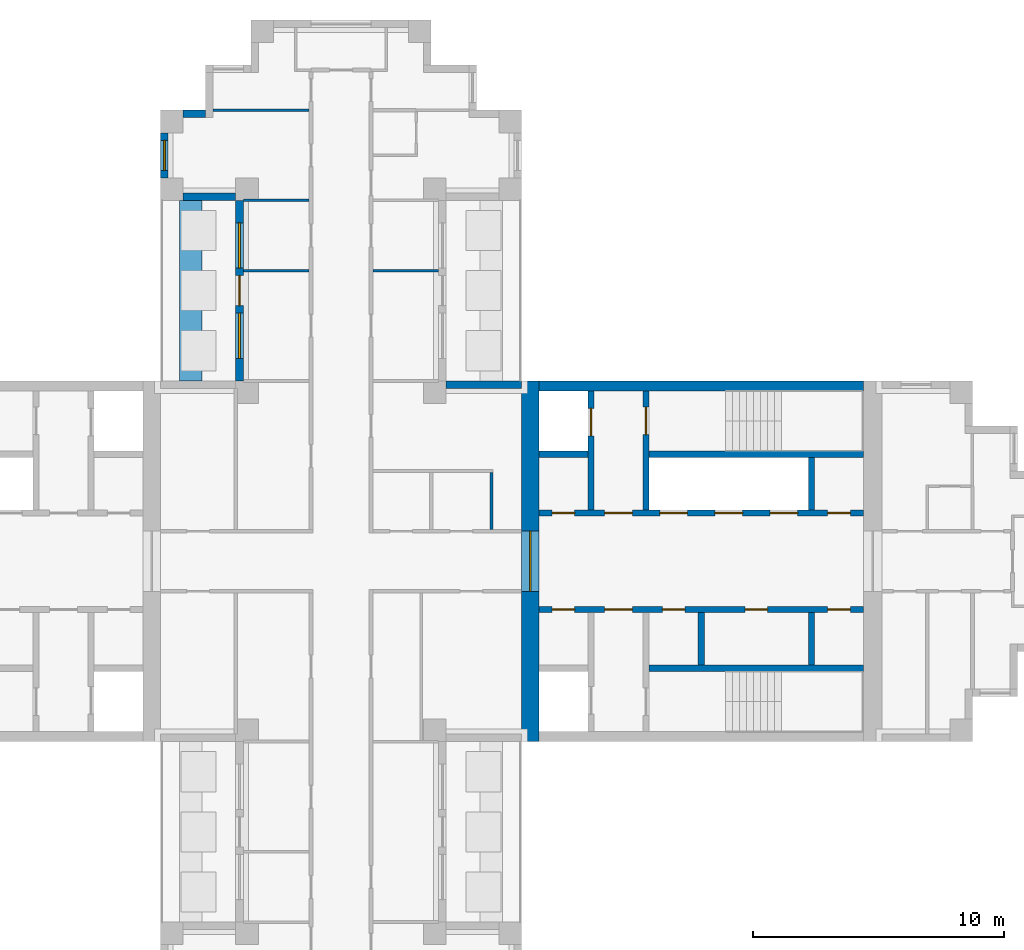
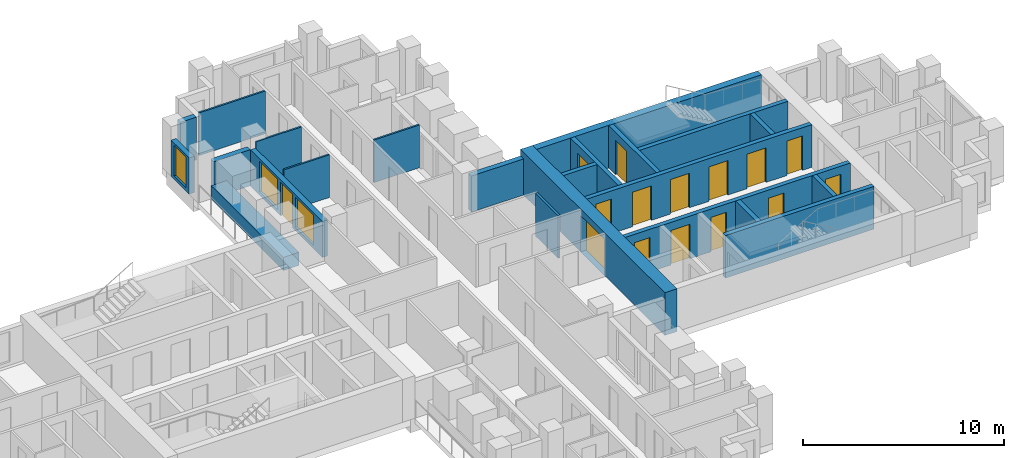
# One storey, part 6 of 10: 23 walls, 15 doors, 3 windows, 18 openings.
"""IFC4 building model written with IfcOpenShell, lengths in metres."""

from ifc_helpers import new_model, si_unit, direction, frame, frame_2d, origin, place, context, subcontext, project, spatial, rectangle, extrude, material, layer, layer_set, type_object, element, fill, save


model = new_model("IFC4")

# Units and contexts
model_context = context("Model", 3, precision=1e-05, world=origin(), true_north=direction((0.0, 1.0)))
body_context = subcontext(model_context, "Body", "Model", "MODEL_VIEW")
ifc_project = project(units=[si_unit("LENGTHUNIT", "METRE"), si_unit("AREAUNIT", "SQUARE_METRE"), si_unit("VOLUMEUNIT", "CUBIC_METRE"), si_unit("PLANEANGLEUNIT", "RADIAN"), si_unit("MASSUNIT", "GRAM", prefix="KILO")], contexts=[model_context])

# Site, building, storey
site_placement = place(None, origin())
site = spatial("IfcSite", under=ifc_project, at=site_placement, CompositionType="ELEMENT")
building_placement = place(site_placement, origin())
building = spatial("IfcBuilding", under=site, at=building_placement, Name="Fustian Cross Tower", CompositionType="ELEMENT")
storey_placement = place(building_placement, frame((0.0, 0.0, 185.699951171875)))
storey = spatial("IfcBuildingStorey", under=building, at=storey_placement, Name="L58", CompositionType="ELEMENT", Elevation=185.699951171875)

# Wall, opening, door
ifc_material_1 = material(Name="Concrete C50/60", Category="concrete")
ifc_layer_1 = layer(ifc_material_1, 0.699951171875)
ifc_layer_set_1 = layer_set([ifc_layer_1], Name="Concrete C50/60")
wall_type_1 = type_object("IfcWallType", Name="CORE END WALL 700 C50/60", PredefinedType="SHEAR", material=ifc_layer_set_1)
wall_1_placement = place(storey_placement, frame((7.550048828125, -7.199951171875, 0.0), z_axis=(0.0, 0.0, 1.0), x_axis=(0.0, 1.0, 0.0)))
wall_1 = element("IfcWall", 1, at=wall_1_placement, inside=storey, type_object=wall_type_1, Name="Core end wall", PredefinedType="SHEAR", context=body_context, shape_type="SweptSolid", body=[
    extrude(rectangle(XDim=14.39990234375, YDim=0.699951171875, at=frame_2d((7.199951171875, 0.0))), origin(), (0.0, 0.0, 1.0), 2.60009765625),
])
opening_1_placement = place(wall_1_placement, frame((6.0, 0.0, 0.0)))
opening_1 = element("IfcOpeningElement", 2, at=opening_1_placement, cuts=wall_1, Name="Opening CD-23-12", PredefinedType="OPENING", context=body_context, shape_type="SweptSolid", body=[
    extrude(rectangle(XDim=2.39990234375, YDim=2.199951171875, at=frame_2d((1.199951171875, 1.10009765625))), frame((0.0, 0.35986328125, 0.0), z_axis=(0.0, -1.0, 0.0), x_axis=(1.0, 0.0, 0.0)), (0.0, 0.0, 1.0), 0.719970703125),
])
ifc_material_2 = material(Name="Steel", Category="steel")
door_type_1 = type_object("IfcDoorType", Name="FIRE DOOR FD30S DOUBLE 2400X2200", OperationType="DOUBLE_DOOR_DOUBLE_SWING", PredefinedType="DOOR", material=ifc_material_2)
door_1_placement = place(opening_1_placement, frame((2.39990234375, 0.0, 0.0), z_axis=(0.0, 0.0, 1.0), x_axis=(-1.0, 0.0, 0.0)))
door_1 = element("IfcDoor", 3, at=door_1_placement, inside=storey, type_object=door_type_1, Name="Core door CD-23-12", OperationType="DOUBLE_DOOR_DOUBLE_SWING", OverallHeight=2.199951171875, OverallWidth=2.39990234375, PredefinedType="DOOR", context=body_context, shape_type="SweptSolid", body=[
    extrude(rectangle(XDim=2.39990234375, YDim=2.199951171875, at=frame_2d((1.199951171875, 1.10009765625))), frame((0.0, 0.02490234375, 0.0), z_axis=(0.0, -1.0, 0.0), x_axis=(1.0, 0.0, 0.0)), (0.0, 0.0, 1.0), 0.050048828125),
])
fill(opening_1, door_1)

# Wall
ifc_material_3 = material(Name="Concrete C50/60", Category="concrete")
ifc_layer_2 = layer(ifc_material_3, 0.39990234375)
ifc_layer_set_2 = layer_set([ifc_layer_2], Name="Concrete C50/60")
wall_type_2 = type_object("IfcWallType", Name="CORE FACADE WALL 400 C50/60", PredefinedType="SHEAR", material=ifc_layer_set_2)
wall_2_placement = place(storey_placement, frame((7.89990234375, 7.0, 0.0), z_axis=(0.0, 0.0, 1.0), x_axis=(1.0, 0.0, 0.0)))
element("IfcWall", 4, at=wall_2_placement, inside=storey, type_object=wall_type_2, Name="Core facade wall", PredefinedType="SHEAR", context=body_context, shape_type="SweptSolid", body=[
    extrude(rectangle(XDim=12.9501953125, YDim=0.39990234375, at=frame_2d((6.47509765625, 0.0))), origin(), (0.0, 0.0, 1.0), 2.60009765625),
])

# Wall, openings, doors
ifc_material_4 = material(Name="Concrete C50/60", Category="concrete")
ifc_layer_3 = layer(ifc_material_4, 0.25)
ifc_layer_set_3 = layer_set([ifc_layer_3], Name="Concrete C50/60")
wall_type_3 = type_object("IfcWallType", Name="CORE LOBBY WALL 250 C50/60", PredefinedType="SHEAR", material=ifc_layer_set_3)
wall_3_placement = place(storey_placement, frame((7.89990234375, 1.925048828125, 0.0), z_axis=(0.0, 0.0, 1.0), x_axis=(1.0, 0.0, 0.0)))
wall_3 = element("IfcWall", 5, at=wall_3_placement, inside=storey, type_object=wall_type_3, Name="Core lobby wall", PredefinedType="SHEAR", context=body_context, shape_type="SweptSolid", body=[
    extrude(rectangle(XDim=12.9501953125, YDim=0.25, at=frame_2d((6.47509765625, 0.0))), origin(), (0.0, 0.0, 1.0), 2.60009765625),
])
opening_2_placement = place(wall_3_placement, frame((4.824951171875, 0.0, 0.0)))
opening_2 = element("IfcOpeningElement", 6, at=opening_2_placement, cuts=wall_3, Name="Opening LD", PredefinedType="OPENING", context=body_context, shape_type="SweptSolid", body=[
    extrude(rectangle(XDim=1.10009765625, YDim=2.10009765625, at=frame_2d((0.550048828125, 1.050048828125))), frame((0.0, 0.135009765625, 0.0), z_axis=(0.0, -1.0, 0.0), x_axis=(1.0, 0.0, 0.0)), (0.0, 0.0, 1.0), 0.27001953125),
])
opening_3_placement = place(wall_3_placement, frame((7.02490234375, 0.0, 0.0)))
opening_3 = element("IfcOpeningElement", 7, at=opening_3_placement, cuts=wall_3, Name="Opening LD", PredefinedType="OPENING", context=body_context, shape_type="SweptSolid", body=[
    extrude(rectangle(XDim=1.10009765625, YDim=2.10009765625, at=frame_2d((0.550048828125, 1.050048828125))), frame((0.0, 0.135009765625, 0.0), z_axis=(0.0, -1.0, 0.0), x_axis=(1.0, 0.0, 0.0)), (0.0, 0.0, 1.0), 0.27001953125),
])
opening_4_placement = place(wall_3_placement, frame((9.22509765625, 0.0, 0.0)))
opening_4 = element("IfcOpeningElement", 8, at=opening_4_placement, cuts=wall_3, Name="Opening LD", PredefinedType="OPENING", context=body_context, shape_type="SweptSolid", body=[
    extrude(rectangle(XDim=1.10009765625, YDim=2.10009765625, at=frame_2d((0.550048828125, 1.050048828125))), frame((0.0, 0.135009765625, 0.0), z_axis=(0.0, -1.0, 0.0), x_axis=(1.0, 0.0, 0.0)), (0.0, 0.0, 1.0), 0.27001953125),
])
opening_5_placement = place(wall_3_placement, frame((0.52490234375, 0.0, 0.0)))
opening_5 = element("IfcOpeningElement", 9, at=opening_5_placement, cuts=wall_3, Name="Opening CD-23-08", PredefinedType="OPENING", context=body_context, shape_type="SweptSolid", body=[
    extrude(rectangle(XDim=0.89990234375, YDim=2.10009765625, at=frame_2d((0.449951171875, 1.050048828125))), frame((0.0, 0.135009765625, 0.0), z_axis=(0.0, -1.0, 0.0), x_axis=(1.0, 0.0, 0.0)), (0.0, 0.0, 1.0), 0.27001953125),
])
opening_6_placement = place(wall_3_placement, frame((2.625, 0.0, 0.0)))
opening_6 = element("IfcOpeningElement", 10, at=opening_6_placement, cuts=wall_3, Name="Opening CD-23-10", PredefinedType="OPENING", context=body_context, shape_type="SweptSolid", body=[
    extrude(rectangle(XDim=1.10009765625, YDim=2.10009765625, at=frame_2d((0.550048828125, 1.050048828125))), frame((0.0, 0.135009765625, 0.0), z_axis=(0.0, -1.0, 0.0), x_axis=(1.0, 0.0, 0.0)), (0.0, 0.0, 1.0), 0.27001953125),
])
opening_7_placement = place(wall_3_placement, frame((11.52490234375, 0.0, 0.0)))
opening_7 = element("IfcOpeningElement", 11, at=opening_7_placement, cuts=wall_3, Name="Opening CD-23-14", PredefinedType="OPENING", context=body_context, shape_type="SweptSolid", body=[
    extrude(rectangle(XDim=0.89990234375, YDim=2.10009765625, at=frame_2d((0.449951171875, 1.050048828125))), frame((0.0, 0.135009765625, 0.0), z_axis=(0.0, -1.0, 0.0), x_axis=(1.0, 0.0, 0.0)), (0.0, 0.0, 1.0), 0.27001953125),
])
ifc_material_5 = material(Name="Steel", Category="steel")
door_type_2 = type_object("IfcDoorType", Name="FIRE DOOR FD30S 900X2100", OperationType="SINGLE_SWING_LEFT", PredefinedType="DOOR", material=ifc_material_5)
door_2_placement = place(opening_7_placement, origin())
door_2 = element("IfcDoor", 12, at=door_2_placement, inside=storey, type_object=door_type_2, Name="Core door CD-23-14", OperationType="SINGLE_SWING_LEFT", OverallHeight=2.10009765625, OverallWidth=0.89990234375, PredefinedType="DOOR", context=body_context, shape_type="SweptSolid", body=[
    extrude(rectangle(XDim=0.89990234375, YDim=2.10009765625, at=frame_2d((0.449951171875, 1.050048828125))), frame((0.0, 0.02490234375, 0.0), z_axis=(0.0, -1.0, 0.0), x_axis=(1.0, 0.0, 0.0)), (0.0, 0.0, 1.0), 0.050048828125),
])
fill(opening_7, door_2)
ifc_material_6 = material(Name="Steel", Category="steel")
door_type_3 = type_object("IfcDoorType", Name="FIRE DOOR FD60S 1100X2100", OperationType="SINGLE_SWING_LEFT", PredefinedType="DOOR", material=ifc_material_6)
door_3_placement = place(opening_6_placement, frame((1.10009765625, 0.0, 0.0), z_axis=(0.0, 0.0, 1.0), x_axis=(-1.0, 0.0, 0.0)))
door_3 = element("IfcDoor", 13, at=door_3_placement, inside=storey, type_object=door_type_3, Name="Core door CD-23-10", OperationType="SINGLE_SWING_RIGHT", OverallHeight=2.10009765625, OverallWidth=1.10009765625, PredefinedType="DOOR", context=body_context, shape_type="SweptSolid", body=[
    extrude(rectangle(XDim=1.10009765625, YDim=2.10009765625, at=frame_2d((0.550048828125, 1.050048828125))), frame((0.0, 0.02490234375, 0.0), z_axis=(0.0, -1.0, 0.0), x_axis=(1.0, 0.0, 0.0)), (0.0, 0.0, 1.0), 0.050048828125),
])
fill(opening_6, door_3)
ifc_material_7 = material(Name="Steel", Category="steel")
door_type_4 = type_object("IfcDoorType", Name="FIRE DOOR FD60S 900X2100", OperationType="SINGLE_SWING_LEFT", PredefinedType="DOOR", material=ifc_material_7)
door_4_placement = place(opening_5_placement, origin())
door_4 = element("IfcDoor", 14, at=door_4_placement, inside=storey, type_object=door_type_4, Name="Core door CD-23-08", OperationType="SINGLE_SWING_LEFT", OverallHeight=2.10009765625, OverallWidth=0.89990234375, PredefinedType="DOOR", context=body_context, shape_type="SweptSolid", body=[
    extrude(rectangle(XDim=0.89990234375, YDim=2.10009765625, at=frame_2d((0.449951171875, 1.050048828125))), frame((0.0, 0.02490234375, 0.0), z_axis=(0.0, -1.0, 0.0), x_axis=(1.0, 0.0, 0.0)), (0.0, 0.0, 1.0), 0.050048828125),
])
fill(opening_5, door_4)
ifc_material_8 = material(Name="Stainless steel", Category="steel")
door_type_5 = type_object("IfcDoorType", Name="LIFT LANDING DOOR 1100X2100", OperationType="SLIDING_TO_LEFT", PredefinedType="DOOR", material=ifc_material_8)
door_5_placement = place(opening_2_placement, origin())
door_5 = element("IfcDoor", 15, at=door_5_placement, inside=storey, type_object=door_type_5, Name="Landing door HR1", OperationType="SLIDING_TO_LEFT", OverallHeight=2.10009765625, OverallWidth=1.10009765625, PredefinedType="DOOR", context=body_context, shape_type="SweptSolid", body=[
    extrude(rectangle(XDim=1.10009765625, YDim=2.10009765625, at=frame_2d((0.550048828125, 1.050048828125))), frame((0.0, 0.02490234375, 0.0), z_axis=(0.0, -1.0, 0.0), x_axis=(1.0, 0.0, 0.0)), (0.0, 0.0, 1.0), 0.050048828125),
])
fill(opening_2, door_5)
door_6_placement = place(opening_3_placement, origin())
door_6 = element("IfcDoor", 16, at=door_6_placement, inside=storey, type_object=door_type_5, Name="Landing door HR2", OperationType="SLIDING_TO_LEFT", OverallHeight=2.10009765625, OverallWidth=1.10009765625, PredefinedType="DOOR", context=body_context, shape_type="SweptSolid", body=[
    extrude(rectangle(XDim=1.10009765625, YDim=2.10009765625, at=frame_2d((0.550048828125, 1.050048828125))), frame((0.0, 0.02490234375, 0.0), z_axis=(0.0, -1.0, 0.0), x_axis=(1.0, 0.0, 0.0)), (0.0, 0.0, 1.0), 0.050048828125),
])
fill(opening_3, door_6)
door_7_placement = place(opening_4_placement, origin())
door_7 = element("IfcDoor", 17, at=door_7_placement, inside=storey, type_object=door_type_5, Name="Landing door HR3", OperationType="SLIDING_TO_LEFT", OverallHeight=2.10009765625, OverallWidth=1.10009765625, PredefinedType="DOOR", context=body_context, shape_type="SweptSolid", body=[
    extrude(rectangle(XDim=1.10009765625, YDim=2.10009765625, at=frame_2d((0.550048828125, 1.050048828125))), frame((0.0, 0.02490234375, 0.0), z_axis=(0.0, -1.0, 0.0), x_axis=(1.0, 0.0, 0.0)), (0.0, 0.0, 1.0), 0.050048828125),
])
fill(opening_4, door_7)

wall_4_placement = place(storey_placement, frame((7.89990234375, -1.925048828125, 0.0), z_axis=(0.0, 0.0, 1.0), x_axis=(1.0, 0.0, 0.0)))
wall_4 = element("IfcWall", 18, at=wall_4_placement, inside=storey, type_object=wall_type_3, Name="Core lobby wall", PredefinedType="SHEAR", context=body_context, shape_type="SweptSolid", body=[
    extrude(rectangle(XDim=12.9501953125, YDim=0.25, at=frame_2d((6.47509765625, 0.0))), origin(), (0.0, 0.0, 1.0), 2.60009765625),
])
opening_8_placement = place(wall_4_placement, frame((0.52490234375, 0.0, 0.0)))
opening_8 = element("IfcOpeningElement", 19, at=opening_8_placement, cuts=wall_4, Name="Opening CD-23-09", PredefinedType="OPENING", context=body_context, shape_type="SweptSolid", body=[
    extrude(rectangle(XDim=0.89990234375, YDim=2.10009765625, at=frame_2d((0.449951171875, 1.050048828125))), frame((0.0, 0.135009765625, 0.0), z_axis=(0.0, -1.0, 0.0), x_axis=(1.0, 0.0, 0.0)), (0.0, 0.0, 1.0), 0.27001953125),
])
opening_9_placement = place(wall_4_placement, frame((2.625, 0.0, 0.0)))
opening_9 = element("IfcOpeningElement", 20, at=opening_9_placement, cuts=wall_4, Name="Opening CD-23-11", PredefinedType="OPENING", context=body_context, shape_type="SweptSolid", body=[
    extrude(rectangle(XDim=1.10009765625, YDim=2.10009765625, at=frame_2d((0.550048828125, 1.050048828125))), frame((0.0, 0.135009765625, 0.0), z_axis=(0.0, -1.0, 0.0), x_axis=(1.0, 0.0, 0.0)), (0.0, 0.0, 1.0), 0.27001953125),
])
opening_10_placement = place(wall_4_placement, frame((4.925048828125, 0.0, 0.0)))
opening_10 = element("IfcOpeningElement", 21, at=opening_10_placement, cuts=wall_4, Name="Opening CD-23-15", PredefinedType="OPENING", context=body_context, shape_type="SweptSolid", body=[
    extrude(rectangle(XDim=0.89990234375, YDim=2.10009765625, at=frame_2d((0.449951171875, 1.050048828125))), frame((0.0, 0.135009765625, 0.0), z_axis=(0.0, -1.0, 0.0), x_axis=(1.0, 0.0, 0.0)), (0.0, 0.0, 1.0), 0.27001953125),
])
opening_11_placement = place(wall_4_placement, frame((8.22509765625, 0.0, 0.0)))
opening_11 = element("IfcOpeningElement", 22, at=opening_11_placement, cuts=wall_4, Name="Opening CD-23-16", PredefinedType="OPENING", context=body_context, shape_type="SweptSolid", body=[
    extrude(rectangle(XDim=0.89990234375, YDim=2.10009765625, at=frame_2d((0.449951171875, 1.050048828125))), frame((0.0, 0.135009765625, 0.0), z_axis=(0.0, -1.0, 0.0), x_axis=(1.0, 0.0, 0.0)), (0.0, 0.0, 1.0), 0.27001953125),
])
opening_12_placement = place(wall_4_placement, frame((11.52490234375, 0.0, 0.0)))
opening_12 = element("IfcOpeningElement", 23, at=opening_12_placement, cuts=wall_4, Name="Opening CD-23-17", PredefinedType="OPENING", context=body_context, shape_type="SweptSolid", body=[
    extrude(rectangle(XDim=0.89990234375, YDim=2.10009765625, at=frame_2d((0.449951171875, 1.050048828125))), frame((0.0, 0.135009765625, 0.0), z_axis=(0.0, -1.0, 0.0), x_axis=(1.0, 0.0, 0.0)), (0.0, 0.0, 1.0), 0.27001953125),
])
ifc_material_9 = material(Name="Steel", Category="steel")
door_type_6 = type_object("IfcDoorType", Name="FIRE DOOR FD30S 1100X2100", OperationType="SINGLE_SWING_LEFT", PredefinedType="DOOR", material=ifc_material_9)
door_8_placement = place(opening_9_placement, frame((1.10009765625, 0.0, 0.0), z_axis=(0.0, 0.0, 1.0), x_axis=(-1.0, 0.0, 0.0)))
door_8 = element("IfcDoor", 24, at=door_8_placement, inside=storey, type_object=door_type_6, Name="Core door CD-23-11", OperationType="SINGLE_SWING_RIGHT", OverallHeight=2.10009765625, OverallWidth=1.10009765625, PredefinedType="DOOR", context=body_context, shape_type="SweptSolid", body=[
    extrude(rectangle(XDim=1.10009765625, YDim=2.10009765625, at=frame_2d((0.550048828125, 1.050048828125))), frame((0.0, 0.02490234375, 0.0), z_axis=(0.0, -1.0, 0.0), x_axis=(1.0, 0.0, 0.0)), (0.0, 0.0, 1.0), 0.050048828125),
])
fill(opening_9, door_8)
door_9_placement = place(opening_8_placement, frame((0.89990234375, 0.0, 0.0), z_axis=(0.0, 0.0, 1.0), x_axis=(-1.0, 0.0, 0.0)))
door_9 = element("IfcDoor", 25, at=door_9_placement, inside=storey, type_object=door_type_2, Name="Core door CD-23-09", OperationType="SINGLE_SWING_RIGHT", OverallHeight=2.10009765625, OverallWidth=0.89990234375, PredefinedType="DOOR", context=body_context, shape_type="SweptSolid", body=[
    extrude(rectangle(XDim=0.89990234375, YDim=2.10009765625, at=frame_2d((0.449951171875, 1.050048828125))), frame((0.0, 0.02490234375, 0.0), z_axis=(0.0, -1.0, 0.0), x_axis=(1.0, 0.0, 0.0)), (0.0, 0.0, 1.0), 0.050048828125),
])
fill(opening_8, door_9)
door_10_placement = place(opening_10_placement, frame((0.89990234375, 0.0, 0.0), z_axis=(0.0, 0.0, 1.0), x_axis=(-1.0, 0.0, 0.0)))
door_10 = element("IfcDoor", 26, at=door_10_placement, inside=storey, type_object=door_type_2, Name="Core door CD-23-15", OperationType="SINGLE_SWING_RIGHT", OverallHeight=2.10009765625, OverallWidth=0.89990234375, PredefinedType="DOOR", context=body_context, shape_type="SweptSolid", body=[
    extrude(rectangle(XDim=0.89990234375, YDim=2.10009765625, at=frame_2d((0.449951171875, 1.050048828125))), frame((0.0, 0.02490234375, 0.0), z_axis=(0.0, -1.0, 0.0), x_axis=(1.0, 0.0, 0.0)), (0.0, 0.0, 1.0), 0.050048828125),
])
fill(opening_10, door_10)
door_11_placement = place(opening_11_placement, frame((0.89990234375, 0.0, 0.0), z_axis=(0.0, 0.0, 1.0), x_axis=(-1.0, 0.0, 0.0)))
door_11 = element("IfcDoor", 27, at=door_11_placement, inside=storey, type_object=door_type_2, Name="Core door CD-23-16", OperationType="SINGLE_SWING_LEFT", OverallHeight=2.10009765625, OverallWidth=0.89990234375, PredefinedType="DOOR", context=body_context, shape_type="SweptSolid", body=[
    extrude(rectangle(XDim=0.89990234375, YDim=2.10009765625, at=frame_2d((0.449951171875, 1.050048828125))), frame((0.0, 0.02490234375, 0.0), z_axis=(0.0, -1.0, 0.0), x_axis=(1.0, 0.0, 0.0)), (0.0, 0.0, 1.0), 0.050048828125),
])
fill(opening_11, door_11)
door_12_placement = place(opening_12_placement, frame((0.89990234375, 0.0, 0.0), z_axis=(0.0, 0.0, 1.0), x_axis=(-1.0, 0.0, 0.0)))
door_12 = element("IfcDoor", 28, at=door_12_placement, inside=storey, type_object=door_type_2, Name="Core door CD-23-17", OperationType="SINGLE_SWING_RIGHT", OverallHeight=2.10009765625, OverallWidth=0.89990234375, PredefinedType="DOOR", context=body_context, shape_type="SweptSolid", body=[
    extrude(rectangle(XDim=0.89990234375, YDim=2.10009765625, at=frame_2d((0.449951171875, 1.050048828125))), frame((0.0, 0.02490234375, 0.0), z_axis=(0.0, -1.0, 0.0), x_axis=(1.0, 0.0, 0.0)), (0.0, 0.0, 1.0), 0.050048828125),
])
fill(opening_12, door_12)

# Walls
ifc_material_10 = material(Name="Concrete C50/60", Category="concrete")
ifc_layer_4 = layer(ifc_material_10, 0.25)
ifc_layer_set_4 = layer_set([ifc_layer_4], Name="Concrete C50/60")
wall_type_4 = type_object("IfcWallType", Name="CORE SHAFT WALL 250 C50/60", PredefinedType="SHEAR", material=ifc_layer_set_4)
wall_5_placement = place(storey_placement, frame((7.89990234375, 4.27490234375, 0.0), z_axis=(0.0, 0.0, 1.0), x_axis=(1.0, 0.0, 0.0)))
element("IfcWall", 29, at=wall_5_placement, inside=storey, type_object=wall_type_4, Name="Core shaft wall", PredefinedType="SHEAR", context=body_context, shape_type="SweptSolid", body=[
    extrude(rectangle(XDim=1.9501953125, YDim=0.25, at=frame_2d((0.97509765625, 0.0))), origin(), (0.0, 0.0, 1.0), 2.60009765625),
])
wall_6_placement = place(storey_placement, frame((12.300048828125, 4.27490234375, 0.0), z_axis=(0.0, 0.0, 1.0), x_axis=(1.0, 0.0, 0.0)))
element("IfcWall", 30, at=wall_6_placement, inside=storey, type_object=wall_type_4, Name="Core shaft wall", PredefinedType="SHEAR", context=body_context, shape_type="SweptSolid", body=[
    extrude(rectangle(XDim=8.550048828125, YDim=0.25, at=frame_2d((4.27490234375, 0.0))), origin(), (0.0, 0.0, 1.0), 2.60009765625),
])

# Wall, opening, door
wall_7_placement = place(storey_placement, frame((9.97509765625, 2.050048828125, 0.0), z_axis=(0.0, 0.0, 1.0), x_axis=(0.0, 1.0, 0.0)))
wall_7 = element("IfcWall", 31, at=wall_7_placement, inside=storey, type_object=wall_type_4, Name="Core shaft wall", PredefinedType="SHEAR", context=body_context, shape_type="SweptSolid", body=[
    extrude(rectangle(XDim=4.75, YDim=0.25, at=frame_2d((2.375, 0.0))), origin(), (0.0, 0.0, 1.0), 2.60009765625),
])
opening_13_placement = place(wall_7_placement, frame((2.949951171875, 0.0, 0.0)))
opening_13 = element("IfcOpeningElement", 32, at=opening_13_placement, cuts=wall_7, Name="Opening LD", PredefinedType="OPENING", context=body_context, shape_type="SweptSolid", body=[
    extrude(rectangle(XDim=1.10009765625, YDim=2.10009765625, at=frame_2d((0.550048828125, 1.050048828125))), frame((0.0, 0.135009765625, 0.0), z_axis=(0.0, -1.0, 0.0), x_axis=(1.0, 0.0, 0.0)), (0.0, 0.0, 1.0), 0.27001953125),
])
door_13_placement = place(opening_13_placement, origin())
door_13 = element("IfcDoor", 33, at=door_13_placement, inside=storey, type_object=door_type_5, Name="Landing door FL1", OperationType="SLIDING_TO_LEFT", OverallHeight=2.10009765625, OverallWidth=1.10009765625, PredefinedType="DOOR", context=body_context, shape_type="SweptSolid", body=[
    extrude(rectangle(XDim=1.10009765625, YDim=2.10009765625, at=frame_2d((0.550048828125, 1.050048828125))), frame((0.0, 0.02490234375, 0.0), z_axis=(0.0, -1.0, 0.0), x_axis=(1.0, 0.0, 0.0)), (0.0, 0.0, 1.0), 0.050048828125),
])
fill(opening_13, door_13)

wall_8_placement = place(storey_placement, frame((12.175048828125, 2.050048828125, 0.0), z_axis=(0.0, 0.0, 1.0), x_axis=(0.0, 1.0, 0.0)))
wall_8 = element("IfcWall", 34, at=wall_8_placement, inside=storey, type_object=wall_type_4, Name="Core shaft wall", PredefinedType="SHEAR", context=body_context, shape_type="SweptSolid", body=[
    extrude(rectangle(XDim=4.75, YDim=0.25, at=frame_2d((2.375, 0.0))), origin(), (0.0, 0.0, 1.0), 2.60009765625),
])
opening_14_placement = place(wall_8_placement, frame((3.0, 0.0, 0.0)))
opening_14 = element("IfcOpeningElement", 35, at=opening_14_placement, cuts=wall_8, Name="Opening CD-23-06", PredefinedType="OPENING", context=body_context, shape_type="SweptSolid", body=[
    extrude(rectangle(XDim=1.10009765625, YDim=2.10009765625, at=frame_2d((0.550048828125, 1.050048828125))), frame((0.0, 0.135009765625, 0.0), z_axis=(0.0, -1.0, 0.0), x_axis=(1.0, 0.0, 0.0)), (0.0, 0.0, 1.0), 0.27001953125),
])
door_14_placement = place(opening_14_placement, frame((1.10009765625, 0.0, 0.0), z_axis=(0.0, 0.0, 1.0), x_axis=(-1.0, 0.0, 0.0)))
door_14 = element("IfcDoor", 36, at=door_14_placement, inside=storey, type_object=door_type_3, Name="Core door CD-23-06", OperationType="SINGLE_SWING_RIGHT", OverallHeight=2.10009765625, OverallWidth=1.10009765625, PredefinedType="DOOR", context=body_context, shape_type="SweptSolid", body=[
    extrude(rectangle(XDim=1.10009765625, YDim=2.10009765625, at=frame_2d((0.550048828125, 1.050048828125))), frame((0.0, 0.02490234375, 0.0), z_axis=(0.0, -1.0, 0.0), x_axis=(1.0, 0.0, 0.0)), (0.0, 0.0, 1.0), 0.050048828125),
])
fill(opening_14, door_14)

# Walls
wall_9_placement = place(storey_placement, frame((12.300048828125, -4.27490234375, 0.0), z_axis=(0.0, 0.0, 1.0), x_axis=(1.0, 0.0, 0.0)))
element("IfcWall", 37, at=wall_9_placement, inside=storey, type_object=wall_type_4, Name="Core shaft wall", PredefinedType="SHEAR", context=body_context, shape_type="SweptSolid", body=[
    extrude(rectangle(XDim=8.550048828125, YDim=0.25, at=frame_2d((4.27490234375, 0.0))), origin(), (0.0, 0.0, 1.0), 2.60009765625),
])
ifc_material_11 = material(Name="Plasterboard on steel stud", Category="steel")
ifc_layer_5 = layer(ifc_material_11, 0.10009765625)
ifc_layer_set_5 = layer_set([ifc_layer_5], Name="Plasterboard on steel stud")
wall_type_5 = type_object("IfcWallType", Name="PARTITION 100 STUD", PredefinedType="PARTITIONING", material=ifc_layer_set_5)
wall_10_placement = place(storey_placement, frame((-5.10009765625, 18.0, 0.0), z_axis=(0.0, 0.0, 1.0), x_axis=(1.0, 0.0, 0.0)))
element("IfcWall", 38, at=wall_10_placement, inside=storey, type_object=wall_type_5, Name="Partition 15", PredefinedType="PARTITIONING", context=body_context, shape_type="SweptSolid", body=[
    extrude(rectangle(XDim=3.8251953125, YDim=0.10009765625, at=frame_2d((1.91259765625, 0.0))), origin(), (0.0, 0.0, 1.0), 2.60009765625),
])
for number, where, z_axis, x_axis, name in (
    (39, (-3.89990234375, 11.60009765625, 0.0), (0.0, 0.0, 1.0), (1.0, 0.0, 0.0), "Partition 22"),
    (40, (-3.89990234375, 14.39990234375, 0.0), (0.0, 0.0, 1.0), (1.0, 0.0, 0.0), "Partition 23"),
    (41, (1.27490234375, 11.60009765625, 0.0), (0.0, 0.0, 1.0), (1.0, 0.0, 0.0), "Partition 46"),
):
    element("IfcWall", number, at=place(storey_placement, frame(where, z_axis=z_axis, x_axis=x_axis)), inside=storey, type_object=wall_type_5, Name=name, PredefinedType="PARTITIONING", context=body_context, shape_type="SweptSolid", body=[
        extrude(rectangle(XDim=2.625, YDim=0.10009765625, at=frame_2d((1.3125, 0.0))), origin(), (0.0, 0.0, 1.0), 2.60009765625),
    ])
ifc_material_12 = material(Name="Concrete C40/50", Category="concrete")
ifc_layer_6 = layer(ifc_material_12, 0.89990234375)
ifc_layer_set_6 = layer_set([ifc_layer_6], Name="Concrete C40/50")
wall_type_6 = type_object("IfcWallType", Name="PK1 PLANTER 900", PredefinedType="PARAPET", material=ifc_layer_set_6)
wall_11_placement = place(storey_placement, frame((-6.0, 7.199951171875, 0.0), z_axis=(0.0, 0.0, 1.0), x_axis=(0.0, 1.0, 0.0)))
element("IfcWall", 42, at=wall_11_placement, inside=storey, type_object=wall_type_6, Name="PLANTER", PredefinedType="PARAPET", context=body_context, shape_type="SweptSolid", body=[
    extrude(rectangle(XDim=7.199951171875, YDim=0.89990234375, at=frame_2d((3.60009765625, 0.0))), origin(), (0.0, 0.0, 1.0), 0.800048828125),
])
ifc_material_13 = material(Name="Concrete C40/50", Category="concrete")
ifc_layer_7 = layer(ifc_material_13, 0.25)
ifc_layer_set_7 = layer_set([ifc_layer_7], Name="Concrete C40/50")
wall_type_7 = type_object("IfcWallType", Name="SHAFT PARTITION WALL 250 C40/50", PredefinedType="PARTITIONING", material=ifc_layer_set_7)
for number, where, z_axis, x_axis, name in (
    (43, (18.77490234375, 2.050048828125, 0.0), (0.0, 0.0, 1.0), (0.0, 1.0, 0.0), "Core shaft wall"),
    (44, (14.375, -2.050048828125, 0.0), (0.0, 0.0, 1.0), (0.0, -1.0, 0.0), "Core shaft wall"),
    (45, (18.77490234375, -2.050048828125, 0.0), (0.0, 0.0, 1.0), (0.0, -1.0, 0.0), "Core shaft wall"),
):
    element("IfcWall", number, at=place(storey_placement, frame(where, z_axis=z_axis, x_axis=x_axis)), inside=storey, type_object=wall_type_7, Name=name, PredefinedType="PARTITIONING", context=body_context, shape_type="SweptSolid", body=[
        extrude(rectangle(XDim=2.099853515625, YDim=0.25, at=frame_2d((1.0498046875, 0.0))), origin(), (0.0, 0.0, 1.0), 2.60009765625),
    ])
ifc_material_14 = material(Name="Plasterboard on steel stud", Category="steel")
ifc_layer_8 = layer(ifc_material_14, 0.125)
ifc_layer_set_8 = layer_set([ifc_layer_8], Name="Plasterboard on steel stud")
wall_type_8 = type_object("IfcWallType", Name="WET WALL 125 STUD", PredefinedType="PARTITIONING", material=ifc_layer_set_8)
wall_12_placement = place(storey_placement, frame((6.0, 1.27490234375, 0.0), z_axis=(0.0, 0.0, 1.0), x_axis=(0.0, 1.0, 0.0)))
element("IfcWall", 46, at=wall_12_placement, inside=storey, type_object=wall_type_8, Name="Partition 57", PredefinedType="PARTITIONING", context=body_context, shape_type="SweptSolid", body=[
    extrude(rectangle(XDim=2.2626953125, YDim=0.125, at=frame_2d((1.13134765625, 0.0))), origin(), (0.0, 0.0, 1.0), 2.60009765625),
])
ifc_material_15 = material(Name="Dark aluminium cladding on insulated backing wall", Category="aluminium")
ifc_layer_9 = layer(ifc_material_15, 0.300048828125)
ifc_layer_set_9 = layer_set([ifc_layer_9], Name="Dark aluminium cladding on insulated backing wall")
wall_type_9 = type_object("IfcWallType", Name="XW1 EXTERNAL WALL 300", PredefinedType="SOLIDWALL", material=ifc_layer_set_9)
wall_13_placement = place(storey_placement, frame((7.199951171875, 7.050048828125, 0.0), z_axis=(0.0, 0.0, 1.0), x_axis=(-1.0, 0.0, 0.0)))
element("IfcWall", 47, at=wall_13_placement, inside=storey, type_object=wall_type_9, Name="External wall", PredefinedType="SOLIDWALL", context=body_context, shape_type="SweptSolid", body=[
    extrude(rectangle(XDim=3.0, YDim=0.300048828125, at=frame_2d((1.5, 0.0))), origin(), (0.0, 0.0, 1.0), 2.199951171875),
])
wall_14_placement = place(storey_placement, frame((-5.39990234375, 17.85009765625, 0.0), z_axis=(0.0, 0.0, 1.0), x_axis=(-1.0, 0.0, 0.0)))
element("IfcWall", 48, at=wall_14_placement, inside=storey, type_object=wall_type_9, Name="External wall", PredefinedType="SOLIDWALL", context=body_context, shape_type="SweptSolid", body=[
    extrude(rectangle(XDim=0.900146484375, YDim=0.300048828125, at=frame_2d((0.4501953125, 0.0))), origin(), (0.0, 0.0, 1.0), 2.60009765625),
])

# Wall, opening, window
wall_15_placement = place(storey_placement, frame((-7.050048828125, 17.10009765625, 0.0), z_axis=(0.0, 0.0, 1.0), x_axis=(0.0, -1.0, 0.0)))
wall_15 = element("IfcWall", 49, at=wall_15_placement, inside=storey, type_object=wall_type_9, Name="External wall", PredefinedType="SOLIDWALL", context=body_context, shape_type="SweptSolid", body=[
    extrude(rectangle(XDim=1.800048828125, YDim=0.300048828125, at=frame_2d((0.89990234375, 0.0))), origin(), (0.0, 0.0, 1.0), 2.199951171875),
])
opening_15_placement = place(wall_15_placement, frame((0.300048828125, 0.0, 0.199951171875)))
opening_15 = element("IfcOpeningElement", 50, at=opening_15_placement, cuts=wall_15, Name="Opening WN3", PredefinedType="OPENING", context=body_context, shape_type="SweptSolid", body=[
    extrude(rectangle(XDim=1.199951171875, YDim=1.85009765625, at=frame_2d((0.60009765625, 0.925048828125))), frame((0.0, 0.159912109375, 0.0), z_axis=(0.0, -1.0, 0.0), x_axis=(1.0, 0.0, 0.0)), (0.0, 0.0, 1.0), 0.320068359375),
])
ifc_material_16 = material(Name="Dark anodised aluminium and double glazing", Category="aluminium")
window_type_1 = type_object("IfcWindowType", Name="WN3 WINDOW 1200X1850", PartitioningType="SINGLE_PANEL", PredefinedType="WINDOW", material=ifc_material_16)
window_1_placement = place(opening_15_placement, origin())
window_1 = element("IfcWindow", 51, at=window_1_placement, inside=storey, type_object=window_type_1, Name="Window", OverallHeight=1.85009765625, OverallWidth=1.199951171875, PartitioningType="SINGLE_PANEL", PredefinedType="WINDOW", context=body_context, shape_type="SweptSolid", body=[
    extrude(rectangle(XDim=1.199951171875, YDim=1.85009765625, at=frame_2d((0.60009765625, 0.925048828125))), frame((0.0, 0.030029296875, 0.0), z_axis=(0.0, -1.0, 0.0), x_axis=(1.0, 0.0, 0.0)), (0.0, 0.0, 1.0), 0.06005859375),
])
fill(opening_15, window_1)

# Wall
wall_16_placement = place(storey_placement, frame((-6.300048828125, 14.550048828125, 0.0), z_axis=(0.0, 0.0, 1.0), x_axis=(1.0, 0.0, 0.0)))
element("IfcWall", 52, at=wall_16_placement, inside=storey, type_object=wall_type_9, Name="External wall", PredefinedType="SOLIDWALL", context=body_context, shape_type="SweptSolid", body=[
    extrude(rectangle(XDim=2.10009765625, YDim=0.300048828125, at=frame_2d((1.050048828125, 0.0))), origin(), (0.0, 0.0, 1.0), 2.199951171875),
])

# Wall, openings, door, windows
wall_17_placement = place(storey_placement, frame((-4.050048828125, 14.39990234375, 0.0), z_axis=(0.0, 0.0, 1.0), x_axis=(0.0, -1.0, 0.0)))
wall_17 = element("IfcWall", 53, at=wall_17_placement, inside=storey, type_object=wall_type_9, Name="External wall", PredefinedType="SOLIDWALL", context=body_context, shape_type="SweptSolid", body=[
    extrude(rectangle(XDim=7.199951171875, YDim=0.300048828125, at=frame_2d((3.60009765625, 0.0))), origin(), (0.0, 0.0, 1.0), 2.199951171875),
])
opening_16_placement = place(wall_17_placement, frame((3.0, 0.0, 0.0)))
opening_16 = element("IfcOpeningElement", 54, at=opening_16_placement, cuts=wall_17, Name="Opening XD2", PredefinedType="OPENING", context=body_context, shape_type="SweptSolid", body=[
    extrude(rectangle(XDim=1.199951171875, YDim=2.050048828125, at=frame_2d((0.60009765625, 1.02490234375))), frame((0.0, 0.159912109375, 0.0), z_axis=(0.0, -1.0, 0.0), x_axis=(1.0, 0.0, 0.0)), (0.0, 0.0, 1.0), 0.320068359375),
])
opening_17_placement = place(wall_17_placement, frame((0.89990234375, 0.0, 0.199951171875)))
opening_17 = element("IfcOpeningElement", 55, at=opening_17_placement, cuts=wall_17, Name="Opening WN2", PredefinedType="OPENING", context=body_context, shape_type="SweptSolid", body=[
    extrude(rectangle(XDim=1.800048828125, YDim=1.85009765625, at=frame_2d((0.89990234375, 0.925048828125))), frame((0.0, 0.159912109375, 0.0), z_axis=(0.0, -1.0, 0.0), x_axis=(1.0, 0.0, 0.0)), (0.0, 0.0, 1.0), 0.320068359375),
])
opening_18_placement = place(wall_17_placement, frame((4.5, 0.0, 0.199951171875)))
opening_18 = element("IfcOpeningElement", 56, at=opening_18_placement, cuts=wall_17, Name="Opening WN2", PredefinedType="OPENING", context=body_context, shape_type="SweptSolid", body=[
    extrude(rectangle(XDim=1.800048828125, YDim=1.85009765625, at=frame_2d((0.89990234375, 0.925048828125))), frame((0.0, 0.159912109375, 0.0), z_axis=(0.0, -1.0, 0.0), x_axis=(1.0, 0.0, 0.0)), (0.0, 0.0, 1.0), 0.320068359375),
])
ifc_material_17 = material(Name="Dark anodised aluminium and double glazing", Category="aluminium")
door_type_7 = type_object("IfcDoorType", Name="ED1 BALCONY DOOR 1200X2050", OperationType="SINGLE_SWING_LEFT", PredefinedType="DOOR", material=ifc_material_17)
door_15_placement = place(opening_16_placement, origin())
door_15 = element("IfcDoor", 57, at=door_15_placement, inside=storey, type_object=door_type_7, Name="Balcony door", OperationType="SINGLE_SWING_LEFT", OverallHeight=2.050048828125, OverallWidth=1.199951171875, PredefinedType="DOOR", context=body_context, shape_type="SweptSolid", body=[
    extrude(rectangle(XDim=1.199951171875, YDim=2.050048828125, at=frame_2d((0.60009765625, 1.02490234375))), frame((0.0, 0.02490234375, 0.0), z_axis=(0.0, -1.0, 0.0), x_axis=(1.0, 0.0, 0.0)), (0.0, 0.0, 1.0), 0.050048828125),
])
fill(opening_16, door_15)
ifc_material_18 = material(Name="Dark anodised aluminium and double glazing", Category="aluminium")
window_type_2 = type_object("IfcWindowType", Name="WN2 WINDOW 1800X1850", PartitioningType="SINGLE_PANEL", PredefinedType="WINDOW", material=ifc_material_18)
window_2_placement = place(opening_17_placement, origin())
window_2 = element("IfcWindow", 58, at=window_2_placement, inside=storey, type_object=window_type_2, Name="Window", OverallHeight=1.85009765625, OverallWidth=1.800048828125, PartitioningType="SINGLE_PANEL", PredefinedType="WINDOW", context=body_context, shape_type="SweptSolid", body=[
    extrude(rectangle(XDim=1.800048828125, YDim=1.85009765625, at=frame_2d((0.89990234375, 0.925048828125))), frame((0.0, 0.030029296875, 0.0), z_axis=(0.0, -1.0, 0.0), x_axis=(1.0, 0.0, 0.0)), (0.0, 0.0, 1.0), 0.06005859375),
])
fill(opening_17, window_2)
window_3_placement = place(opening_18_placement, origin())
window_3 = element("IfcWindow", 59, at=window_3_placement, inside=storey, type_object=window_type_2, Name="Window", OverallHeight=1.85009765625, OverallWidth=1.800048828125, PartitioningType="SINGLE_PANEL", PredefinedType="WINDOW", context=body_context, shape_type="SweptSolid", body=[
    extrude(rectangle(XDim=1.800048828125, YDim=1.85009765625, at=frame_2d((0.89990234375, 0.925048828125))), frame((0.0, 0.030029296875, 0.0), z_axis=(0.0, -1.0, 0.0), x_axis=(1.0, 0.0, 0.0)), (0.0, 0.0, 1.0), 0.06005859375),
])
fill(opening_18, window_3)

save(model, "model.ifc")
